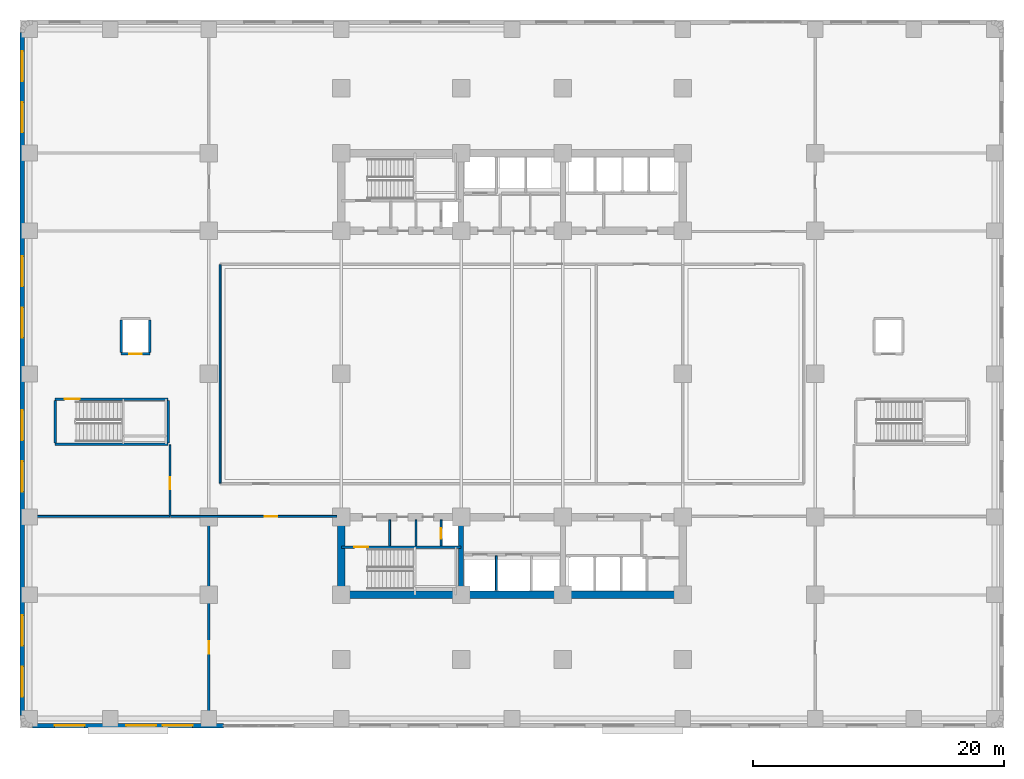
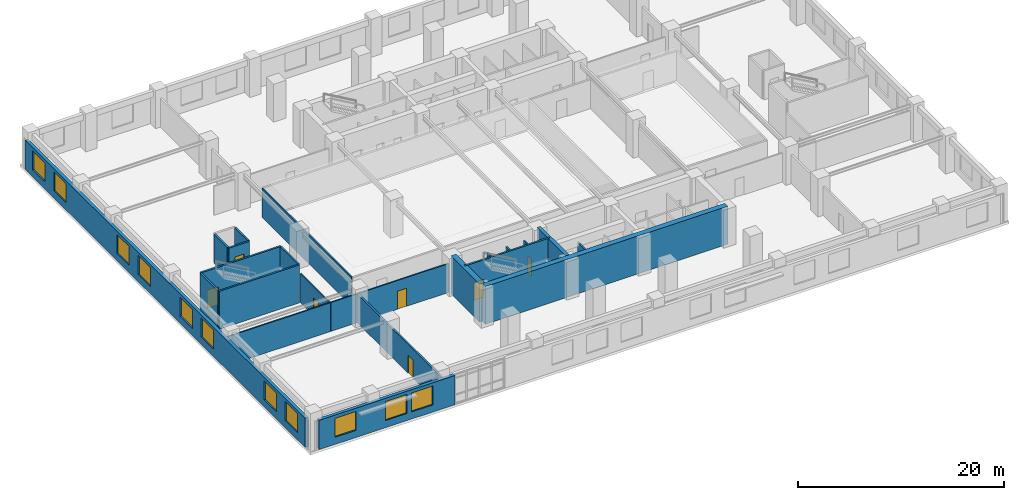
# One storey, part 6 of 14: 22 walls, 11 windows, 7 doors, 18 openings.
"""IFC4 building model written with IfcOpenShell, lengths in metres."""

from ifc_helpers import new_model, si_unit, direction, frame, frame_2d, origin, place, context, subcontext, project, spatial, rectangle, extrude, material, layer, layer_set, type_object, element, fill, save


model = new_model("IFC4")

# Units and contexts
model_context = context("Model", 3, precision=1e-05, world=origin(), true_north=direction((0.0, 1.0)))
body_context = subcontext(model_context, "Body", "Model", "MODEL_VIEW")
ifc_project = project(units=[si_unit("LENGTHUNIT", "METRE"), si_unit("AREAUNIT", "SQUARE_METRE"), si_unit("VOLUMEUNIT", "CUBIC_METRE"), si_unit("PLANEANGLEUNIT", "RADIAN"), si_unit("MASSUNIT", "GRAM", prefix="KILO")], contexts=[model_context])

# Site, building, storey
site_placement = place(None, origin())
site = spatial("IfcSite", under=ifc_project, at=site_placement, CompositionType="ELEMENT")
building_placement = place(site_placement, origin())
building = spatial("IfcBuilding", under=site, at=building_placement, Name="Svetorya Sky Lyceum", CompositionType="ELEMENT")
storey_placement = place(building_placement, frame((0.0, 0.0, 15.60009765625)))
storey = spatial("IfcBuildingStorey", under=building, at=storey_placement, Name="L03", CompositionType="ELEMENT", Elevation=15.60009765625)

# Walls
ifc_material_1 = material(Name="Concrete C40/50", Category="concrete")
ifc_layer_1 = layer(ifc_material_1, 0.39990234375)
ifc_layer_set_1 = layer_set([ifc_layer_1], Name="Concrete C40/50")
wall_type_1 = type_object("IfcWallType", Name="WL-CORE-400", PredefinedType="SHEAR", material=ifc_layer_set_1)
wall_1_placement = place(storey_placement, frame((35.14990234375, 10.89990234375, 0.0), z_axis=(0.0, 0.0, 1.0), x_axis=(0.0, 1.0, 0.0)))
element("IfcWall", 1, at=wall_1_placement, inside=storey, type_object=wall_type_1, Name="L03 SC Internal Shear Web WEB1", PredefinedType="SHEAR", context=body_context, shape_type="SweptSolid", body=[
    extrude(rectangle(XDim=5.60009765625, YDim=0.39990234375, at=frame_2d((2.800048828125, 0.0))), origin(), (0.0, 0.0, 1.0), 4.5),
])
ifc_material_2 = material(Name="Concrete C60/75", Category="concrete")
ifc_layer_2 = layer(ifc_material_2, 0.60009765625)
ifc_layer_set_2 = layer_set([ifc_layer_2], Name="Concrete C60/75")
wall_type_2 = type_object("IfcWallType", Name="WL-CORE-600", PredefinedType="SHEAR", material=ifc_layer_set_2)
wall_2_placement = place(storey_placement, frame((52.800048828125, 10.60009765625, 0.0), z_axis=(0.0, 0.0, 1.0), x_axis=(-1.0, 0.0, 0.0)))
element("IfcWall", 2, at=wall_2_placement, inside=storey, type_object=wall_type_2, Name="L03 SC Outer Core Shear Wall", PredefinedType="SHEAR", context=body_context, shape_type="SweptSolid", body=[
    extrude(rectangle(XDim=27.199951171875, YDim=0.60009765625, at=frame_2d((13.60009765625, 0.0))), origin(), (0.0, 0.0, 1.0), 4.5),
])
wall_3_placement = place(storey_placement, frame((25.60009765625, 10.89990234375, 0.0), z_axis=(0.0, 0.0, 1.0), x_axis=(0.0, 1.0, 0.0)))
element("IfcWall", 3, at=wall_3_placement, inside=storey, type_object=wall_type_2, Name="L03 SC West Core Shear Wall", PredefinedType="SHEAR", context=body_context, shape_type="SweptSolid", body=[
    extrude(rectangle(XDim=5.60009765625, YDim=0.60009765625, at=frame_2d((2.800048828125, 0.0))), origin(), (0.0, 0.0, 1.0), 4.5),
])

# Wall, openings, windows
ifc_material_3 = material(Name="Putilovo limestone rainscreen on autoclaved cellular masonry", Category="masonry")
ifc_layer_3 = layer(ifc_material_3, 0.360107421875)
ifc_layer_set_3 = layer_set([ifc_layer_3], Name="Putilovo limestone rainscreen on autoclaved cellular masonry")
wall_type_3 = type_object("IfcWallType", Name="WL-EXT-360", PredefinedType="SOLIDWALL", material=ifc_layer_set_3)
wall_4_placement = place(storey_placement, frame((0.97998046875, 0.179931640625, 0.0), z_axis=(0.0, 0.0, 1.0), x_axis=(1.0, 0.0, 0.0)))
wall_4 = element("IfcWall", 4, at=wall_4_placement, inside=storey, type_object=wall_type_3, Name="L03 Limestone Exterior Wall 6A", PredefinedType="SOLIDWALL", context=body_context, shape_type="SweptSolid", body=[
    extrude(rectangle(XDim=15.25, YDim=0.360107421875, at=frame_2d((7.625, 0.0))), origin(), (0.0, 0.0, 1.0), 3.47998046875),
])
opening_1_placement = place(wall_4_placement, frame((1.77490234375, 0.0, 0.85009765625)))
opening_1 = element("IfcOpeningElement", 5, at=opening_1_placement, cuts=wall_4, Name="Opening W-S1", PredefinedType="OPENING", context=body_context, shape_type="SweptSolid", body=[
    extrude(rectangle(XDim=2.39990234375, YDim=2.25, at=frame_2d((1.199951171875, 1.125))), frame((0.0, 0.18994140625, 0.0), z_axis=(0.0, -1.0, 0.0), x_axis=(1.0, 0.0, 0.0)), (0.0, 0.0, 1.0), 0.380126953125),
])
opening_2_placement = place(wall_4_placement, frame((7.47509765625, 0.0, 0.85009765625)))
opening_2 = element("IfcOpeningElement", 6, at=opening_2_placement, cuts=wall_4, Name="Opening W-S1", PredefinedType="OPENING", context=body_context, shape_type="SweptSolid", body=[
    extrude(rectangle(XDim=2.39990234375, YDim=2.25, at=frame_2d((1.199951171875, 1.125))), frame((0.0, 0.18994140625, 0.0), z_axis=(0.0, -1.0, 0.0), x_axis=(1.0, 0.0, 0.0)), (0.0, 0.0, 1.0), 0.380126953125),
])
opening_3_placement = place(wall_4_placement, frame((10.375, 0.0, 0.85009765625)))
opening_3 = element("IfcOpeningElement", 7, at=opening_3_placement, cuts=wall_4, Name="Opening W-S1", PredefinedType="OPENING", context=body_context, shape_type="SweptSolid", body=[
    extrude(rectangle(XDim=2.39990234375, YDim=2.25, at=frame_2d((1.199951171875, 1.125))), frame((0.0, 0.18994140625, 0.0), z_axis=(0.0, -1.0, 0.0), x_axis=(1.0, 0.0, 0.0)), (0.0, 0.0, 1.0), 0.380126953125),
])
ifc_material_4 = material(Name="Thermally broken aluminium frame with triple low-E glazing", Category="aluminium")
window_type = type_object("IfcWindowType", Name="WN-SCH-240", PartitioningType="TRIPLE_PANEL_HORIZONTAL", PredefinedType="WINDOW", material=ifc_material_4)
window_1_placement = place(opening_1_placement, origin())
window_1 = element("IfcWindow", 8, at=window_1_placement, inside=storey, type_object=window_type, Name="L03 Facade Window W-S1.6A.1", OverallHeight=2.25, OverallWidth=2.39990234375, PartitioningType="SINGLE_PANEL", PredefinedType="WINDOW", context=body_context, shape_type="SweptSolid", body=[
    extrude(rectangle(XDim=2.39990234375, YDim=2.25, at=frame_2d((1.199951171875, 1.125))), frame((0.0, 0.030029296875, 0.0), z_axis=(0.0, -1.0, 0.0), x_axis=(1.0, 0.0, 0.0)), (0.0, 0.0, 1.0), 0.06005859375),
])
fill(opening_1, window_1)
window_2_placement = place(opening_2_placement, origin())
window_2 = element("IfcWindow", 9, at=window_2_placement, inside=storey, type_object=window_type, Name="L03 Facade Window W-S1.6A.2", OverallHeight=2.25, OverallWidth=2.39990234375, PartitioningType="SINGLE_PANEL", PredefinedType="WINDOW", context=body_context, shape_type="SweptSolid", body=[
    extrude(rectangle(XDim=2.39990234375, YDim=2.25, at=frame_2d((1.199951171875, 1.125))), frame((0.0, 0.030029296875, 0.0), z_axis=(0.0, -1.0, 0.0), x_axis=(1.0, 0.0, 0.0)), (0.0, 0.0, 1.0), 0.06005859375),
])
fill(opening_2, window_2)
window_3_placement = place(opening_3_placement, origin())
window_3 = element("IfcWindow", 10, at=window_3_placement, inside=storey, type_object=window_type, Name="L03 Facade Window W-S1.6A.3", OverallHeight=2.25, OverallWidth=2.39990234375, PartitioningType="SINGLE_PANEL", PredefinedType="WINDOW", context=body_context, shape_type="SweptSolid", body=[
    extrude(rectangle(XDim=2.39990234375, YDim=2.25, at=frame_2d((1.199951171875, 1.125))), frame((0.0, 0.030029296875, 0.0), z_axis=(0.0, -1.0, 0.0), x_axis=(1.0, 0.0, 0.0)), (0.0, 0.0, 1.0), 0.06005859375),
])
fill(opening_3, window_3)

wall_5_placement = place(storey_placement, frame((0.179931640625, 55.419921875, 0.0), z_axis=(0.0, 0.0, 1.0), x_axis=(0.0, -1.0, 0.0)))
wall_5 = element("IfcWall", 11, at=wall_5_placement, inside=storey, type_object=wall_type_3, Name="L03 Limestone Exterior Wall 24M", PredefinedType="SOLIDWALL", context=body_context, shape_type="SweptSolid", body=[
    extrude(rectangle(XDim=54.43994140625, YDim=0.360107421875, at=frame_2d((27.219970703125, 0.0))), origin(), (0.0, 0.0, 1.0), 3.47998046875),
])
opening_4_placement = place(wall_5_placement, frame((1.493896484375, 0.0, 0.85009765625)))
opening_4 = element("IfcOpeningElement", 12, at=opening_4_placement, cuts=wall_5, Name="Opening W-S1", PredefinedType="OPENING", context=body_context, shape_type="SweptSolid", body=[
    extrude(rectangle(XDim=2.39990234375, YDim=2.25, at=frame_2d((1.199951171875, 1.125))), frame((0.0, 0.18994140625, 0.0), z_axis=(0.0, -1.0, 0.0), x_axis=(1.0, 0.0, 0.0)), (0.0, 0.0, 1.0), 0.380126953125),
])
opening_5_placement = place(wall_5_placement, frame((5.58154296875, 0.0, 0.85009765625)))
opening_5 = element("IfcOpeningElement", 13, at=opening_5_placement, cuts=wall_5, Name="Opening W-S1", PredefinedType="OPENING", context=body_context, shape_type="SweptSolid", body=[
    extrude(rectangle(XDim=2.39990234375, YDim=2.25, at=frame_2d((1.199951171875, 1.125))), frame((0.0, 0.18994140625, 0.0), z_axis=(0.0, -1.0, 0.0), x_axis=(1.0, 0.0, 0.0)), (0.0, 0.0, 1.0), 0.380126953125),
])
opening_6_placement = place(wall_5_placement, frame((17.844482421875, 0.0, 0.85009765625)))
opening_6 = element("IfcOpeningElement", 14, at=opening_6_placement, cuts=wall_5, Name="Opening W-S1", PredefinedType="OPENING", context=body_context, shape_type="SweptSolid", body=[
    extrude(rectangle(XDim=2.39990234375, YDim=2.25, at=frame_2d((1.199951171875, 1.125))), frame((0.0, 0.18994140625, 0.0), z_axis=(0.0, -1.0, 0.0), x_axis=(1.0, 0.0, 0.0)), (0.0, 0.0, 1.0), 0.380126953125),
])
opening_7_placement = place(wall_5_placement, frame((21.932373046875, 0.0, 0.85009765625)))
opening_7 = element("IfcOpeningElement", 15, at=opening_7_placement, cuts=wall_5, Name="Opening W-S1", PredefinedType="OPENING", context=body_context, shape_type="SweptSolid", body=[
    extrude(rectangle(XDim=2.39990234375, YDim=2.25, at=frame_2d((1.199951171875, 1.125))), frame((0.0, 0.18994140625, 0.0), z_axis=(0.0, -1.0, 0.0), x_axis=(1.0, 0.0, 0.0)), (0.0, 0.0, 1.0), 0.380126953125),
])
opening_8_placement = place(wall_5_placement, frame((30.107666015625, 0.0, 0.85009765625)))
opening_8 = element("IfcOpeningElement", 16, at=opening_8_placement, cuts=wall_5, Name="Opening W-S1", PredefinedType="OPENING", context=body_context, shape_type="SweptSolid", body=[
    extrude(rectangle(XDim=2.39990234375, YDim=2.25, at=frame_2d((1.199951171875, 1.125))), frame((0.0, 0.18994140625, 0.0), z_axis=(0.0, -1.0, 0.0), x_axis=(1.0, 0.0, 0.0)), (0.0, 0.0, 1.0), 0.380126953125),
])
opening_9_placement = place(wall_5_placement, frame((34.1953125, 0.0, 0.85009765625)))
opening_9 = element("IfcOpeningElement", 17, at=opening_9_placement, cuts=wall_5, Name="Opening W-S1", PredefinedType="OPENING", context=body_context, shape_type="SweptSolid", body=[
    extrude(rectangle(XDim=2.39990234375, YDim=2.25, at=frame_2d((1.199951171875, 1.125))), frame((0.0, 0.18994140625, 0.0), z_axis=(0.0, -1.0, 0.0), x_axis=(1.0, 0.0, 0.0)), (0.0, 0.0, 1.0), 0.380126953125),
])
opening_10_placement = place(wall_5_placement, frame((46.45849609375, 0.0, 0.85009765625)))
opening_10 = element("IfcOpeningElement", 18, at=opening_10_placement, cuts=wall_5, Name="Opening W-S1", PredefinedType="OPENING", context=body_context, shape_type="SweptSolid", body=[
    extrude(rectangle(XDim=2.39990234375, YDim=2.25, at=frame_2d((1.199951171875, 1.125))), frame((0.0, 0.18994140625, 0.0), z_axis=(0.0, -1.0, 0.0), x_axis=(1.0, 0.0, 0.0)), (0.0, 0.0, 1.0), 0.380126953125),
])
opening_11_placement = place(wall_5_placement, frame((50.546142578125, 0.0, 0.85009765625)))
opening_11 = element("IfcOpeningElement", 19, at=opening_11_placement, cuts=wall_5, Name="Opening W-S1", PredefinedType="OPENING", context=body_context, shape_type="SweptSolid", body=[
    extrude(rectangle(XDim=2.39990234375, YDim=2.25, at=frame_2d((1.199951171875, 1.125))), frame((0.0, 0.18994140625, 0.0), z_axis=(0.0, -1.0, 0.0), x_axis=(1.0, 0.0, 0.0)), (0.0, 0.0, 1.0), 0.380126953125),
])
window_4_placement = place(opening_4_placement, origin())
window_4 = element("IfcWindow", 20, at=window_4_placement, inside=storey, type_object=window_type, Name="L03 Facade Window W-S1.24M.1", OverallHeight=2.25, OverallWidth=2.39990234375, PartitioningType="SINGLE_PANEL", PredefinedType="WINDOW", context=body_context, shape_type="SweptSolid", body=[
    extrude(rectangle(XDim=2.39990234375, YDim=2.25, at=frame_2d((1.199951171875, 1.125))), frame((0.0, 0.030029296875, 0.0), z_axis=(0.0, -1.0, 0.0), x_axis=(1.0, 0.0, 0.0)), (0.0, 0.0, 1.0), 0.06005859375),
])
fill(opening_4, window_4)
window_5_placement = place(opening_5_placement, origin())
window_5 = element("IfcWindow", 21, at=window_5_placement, inside=storey, type_object=window_type, Name="L03 Facade Window W-S1.24M.2", OverallHeight=2.25, OverallWidth=2.39990234375, PartitioningType="SINGLE_PANEL", PredefinedType="WINDOW", context=body_context, shape_type="SweptSolid", body=[
    extrude(rectangle(XDim=2.39990234375, YDim=2.25, at=frame_2d((1.199951171875, 1.125))), frame((0.0, 0.030029296875, 0.0), z_axis=(0.0, -1.0, 0.0), x_axis=(1.0, 0.0, 0.0)), (0.0, 0.0, 1.0), 0.06005859375),
])
fill(opening_5, window_5)
window_6_placement = place(opening_6_placement, origin())
window_6 = element("IfcWindow", 22, at=window_6_placement, inside=storey, type_object=window_type, Name="L03 Facade Window W-S1.24M.3", OverallHeight=2.25, OverallWidth=2.39990234375, PartitioningType="SINGLE_PANEL", PredefinedType="WINDOW", context=body_context, shape_type="SweptSolid", body=[
    extrude(rectangle(XDim=2.39990234375, YDim=2.25, at=frame_2d((1.199951171875, 1.125))), frame((0.0, 0.030029296875, 0.0), z_axis=(0.0, -1.0, 0.0), x_axis=(1.0, 0.0, 0.0)), (0.0, 0.0, 1.0), 0.06005859375),
])
fill(opening_6, window_6)
window_7_placement = place(opening_7_placement, origin())
window_7 = element("IfcWindow", 23, at=window_7_placement, inside=storey, type_object=window_type, Name="L03 Facade Window W-S1.24M.4", OverallHeight=2.25, OverallWidth=2.39990234375, PartitioningType="SINGLE_PANEL", PredefinedType="WINDOW", context=body_context, shape_type="SweptSolid", body=[
    extrude(rectangle(XDim=2.39990234375, YDim=2.25, at=frame_2d((1.199951171875, 1.125))), frame((0.0, 0.030029296875, 0.0), z_axis=(0.0, -1.0, 0.0), x_axis=(1.0, 0.0, 0.0)), (0.0, 0.0, 1.0), 0.06005859375),
])
fill(opening_7, window_7)
window_8_placement = place(opening_8_placement, origin())
window_8 = element("IfcWindow", 24, at=window_8_placement, inside=storey, type_object=window_type, Name="L03 Facade Window W-S1.24M.5", OverallHeight=2.25, OverallWidth=2.39990234375, PartitioningType="SINGLE_PANEL", PredefinedType="WINDOW", context=body_context, shape_type="SweptSolid", body=[
    extrude(rectangle(XDim=2.39990234375, YDim=2.25, at=frame_2d((1.199951171875, 1.125))), frame((0.0, 0.030029296875, 0.0), z_axis=(0.0, -1.0, 0.0), x_axis=(1.0, 0.0, 0.0)), (0.0, 0.0, 1.0), 0.06005859375),
])
fill(opening_8, window_8)
window_9_placement = place(opening_9_placement, origin())
window_9 = element("IfcWindow", 25, at=window_9_placement, inside=storey, type_object=window_type, Name="L03 Facade Window W-S1.24M.6", OverallHeight=2.25, OverallWidth=2.39990234375, PartitioningType="SINGLE_PANEL", PredefinedType="WINDOW", context=body_context, shape_type="SweptSolid", body=[
    extrude(rectangle(XDim=2.39990234375, YDim=2.25, at=frame_2d((1.199951171875, 1.125))), frame((0.0, 0.030029296875, 0.0), z_axis=(0.0, -1.0, 0.0), x_axis=(1.0, 0.0, 0.0)), (0.0, 0.0, 1.0), 0.06005859375),
])
fill(opening_9, window_9)
window_10_placement = place(opening_10_placement, origin())
window_10 = element("IfcWindow", 26, at=window_10_placement, inside=storey, type_object=window_type, Name="L03 Facade Window W-S1.24M.7", OverallHeight=2.25, OverallWidth=2.39990234375, PartitioningType="SINGLE_PANEL", PredefinedType="WINDOW", context=body_context, shape_type="SweptSolid", body=[
    extrude(rectangle(XDim=2.39990234375, YDim=2.25, at=frame_2d((1.199951171875, 1.125))), frame((0.0, 0.030029296875, 0.0), z_axis=(0.0, -1.0, 0.0), x_axis=(1.0, 0.0, 0.0)), (0.0, 0.0, 1.0), 0.06005859375),
])
fill(opening_10, window_10)
window_11_placement = place(opening_11_placement, origin())
window_11 = element("IfcWindow", 27, at=window_11_placement, inside=storey, type_object=window_type, Name="L03 Facade Window W-S1.24M.8", OverallHeight=2.25, OverallWidth=2.39990234375, PartitioningType="SINGLE_PANEL", PredefinedType="WINDOW", context=body_context, shape_type="SweptSolid", body=[
    extrude(rectangle(XDim=2.39990234375, YDim=2.25, at=frame_2d((1.199951171875, 1.125))), frame((0.0, 0.030029296875, 0.0), z_axis=(0.0, -1.0, 0.0), x_axis=(1.0, 0.0, 0.0)), (0.0, 0.0, 1.0), 0.06005859375),
])
fill(opening_11, window_11)

# Walls
ifc_material_5 = material(Name="Autoclaved cellular masonry blockwork with acoustic render", Category="masonry")
ifc_layer_4 = layer(ifc_material_5, 0.14990234375)
ifc_layer_set_4 = layer_set([ifc_layer_4], Name="Autoclaved cellular masonry blockwork with acoustic render")
wall_type_4 = type_object("IfcWallType", Name="WL-PART-150", PredefinedType="PARTITIONING", material=ifc_layer_set_4)
for number, where, z_axis, x_axis, name in (
    (28, (29.449951171875, 14.5, 0.0), (0.0, 0.0, 1.0), (0.0, 1.0, 0.0), "L03 Interior Partition SC-SWD1"),
    (29, (31.550048828125, 14.5, 0.0), (0.0, 0.0, 1.0), (0.0, 1.0, 0.0), "L03 Interior Partition SC-SWD2"),
):
    element("IfcWall", number, at=place(storey_placement, frame(where, z_axis=z_axis, x_axis=x_axis)), inside=storey, type_object=wall_type_4, Name=name, PredefinedType="PARTITIONING", context=body_context, shape_type="SweptSolid", body=[
        extrude(rectangle(XDim=2.080078125, YDim=0.14990234375, at=frame_2d((1.0400390625, 0.0))), origin(), (0.0, 0.0, 1.0), 3.419921875),
    ])

# Wall, opening, door
wall_6_placement = place(storey_placement, frame((33.550048828125, 14.5, 0.0), z_axis=(0.0, 0.0, 1.0), x_axis=(0.0, 1.0, 0.0)))
wall_6 = element("IfcWall", 30, at=wall_6_placement, inside=storey, type_object=wall_type_4, Name="L03 Interior Partition SC-SWD3", PredefinedType="PARTITIONING", context=body_context, shape_type="SweptSolid", body=[
    extrude(rectangle(XDim=2.080078125, YDim=0.14990234375, at=frame_2d((1.0400390625, 0.0))), origin(), (0.0, 0.0, 1.0), 3.419921875),
])
opening_12_placement = place(wall_6_placement, frame((0.550048828125, 0.0, 0.0)))
opening_12 = element("IfcOpeningElement", 31, at=opening_12_placement, cuts=wall_6, Name="Opening D-SH1", PredefinedType="OPENING", context=body_context, shape_type="SweptSolid", body=[
    extrude(rectangle(XDim=0.85009765625, YDim=2.050048828125, at=frame_2d((0.425048828125, 1.02490234375))), frame((0.0, 0.0849609375, 0.0), z_axis=(0.0, -1.0, 0.0), x_axis=(1.0, 0.0, 0.0)), (0.0, 0.0, 1.0), 0.169921875),
])
ifc_material_6 = material(Name="Insulated galvanized riser inspection fire door")
door_type_1 = type_object("IfcDoorType", Name="DR-SHFT-850", OperationType="SINGLE_SWING_LEFT", PredefinedType="TRAPDOOR", material=ifc_material_6)
door_1_placement = place(opening_12_placement, origin())
door_1 = element("IfcDoor", 32, at=door_1_placement, inside=storey, type_object=door_type_1, Name="L03 South Riser Access Door", OperationType="SINGLE_SWING_RIGHT", OverallHeight=2.050048828125, OverallWidth=0.85009765625, PredefinedType="TRAPDOOR", context=body_context, shape_type="SweptSolid", body=[
    extrude(rectangle(XDim=0.85009765625, YDim=2.050048828125, at=frame_2d((0.425048828125, 1.02490234375))), frame((0.0, 0.02490234375, 0.0), z_axis=(0.0, -1.0, 0.0), x_axis=(1.0, 0.0, 0.0)), (0.0, 0.0, 1.0), 0.050048828125),
])
fill(opening_12, door_1)

# Walls
wall_7_placement = place(storey_placement, frame((37.949951171875, 10.949951171875, 0.0), z_axis=(0.0, 0.0, 1.0), x_axis=(0.0, 1.0, 0.0)))
element("IfcWall", 33, at=wall_7_placement, inside=storey, type_object=wall_type_4, Name="L03 Interior Partition SC-SHD1", PredefinedType="PARTITIONING", context=body_context, shape_type="SweptSolid", body=[
    extrude(rectangle(XDim=2.75, YDim=0.14990234375, at=frame_2d((1.375, 0.0))), origin(), (0.0, 0.0, 1.0), 3.419921875),
])
wall_8_placement = place(storey_placement, frame((15.949951171875, 19.5, 0.0), z_axis=(0.0, 0.0, 1.0), x_axis=(0.0, 1.0, 0.0)))
element("IfcWall", 34, at=wall_8_placement, inside=storey, type_object=wall_type_4, Name="L03 Interior Partition CEN-W", PredefinedType="PARTITIONING", context=body_context, shape_type="SweptSolid", body=[
    extrude(rectangle(XDim=17.39990234375, YDim=0.14990234375, at=frame_2d((8.699951171875, 0.0))), origin(), (0.0, 0.0, 1.0), 3.419921875),
])

# Wall, opening, door
wall_9_placement = place(storey_placement, frame((12.0, 16.85009765625, 0.0), z_axis=(0.0, 0.0, 1.0), x_axis=(1.0, 0.0, 0.0)))
wall_9 = element("IfcWall", 35, at=wall_9_placement, inside=storey, type_object=wall_type_4, Name="L03 Interior Partition SW-CORR", PredefinedType="PARTITIONING", context=body_context, shape_type="SweptSolid", body=[
    extrude(rectangle(XDim=13.25, YDim=0.14990234375, at=frame_2d((6.625, 0.0))), origin(), (0.0, 0.0, 1.0), 3.419921875),
])
opening_13_placement = place(wall_9_placement, frame((7.5, 0.0, 0.0)))
opening_13 = element("IfcOpeningElement", 36, at=opening_13_placement, cuts=wall_9, Name="Opening D-RM2", PredefinedType="OPENING", context=body_context, shape_type="SweptSolid", body=[
    extrude(rectangle(XDim=1.0, YDim=2.14990234375, at=frame_2d((0.5, 1.074951171875))), frame((0.0, 0.0849609375, 0.0), z_axis=(0.0, -1.0, 0.0), x_axis=(1.0, 0.0, 0.0)), (0.0, 0.0, 1.0), 0.169921875),
])
ifc_material_7 = material(Name="Solid-core oak acoustic room door")
door_type_2 = type_object("IfcDoorType", Name="DR-INT-1000", OperationType="SINGLE_SWING_LEFT", PredefinedType="DOOR", material=ifc_material_7)
door_2_placement = place(opening_13_placement, origin())
door_2 = element("IfcDoor", 37, at=door_2_placement, inside=storey, type_object=door_type_2, Name="L03 Classroom SW2 Door", OperationType="SINGLE_SWING_LEFT", OverallHeight=2.14990234375, OverallWidth=1.0, PredefinedType="DOOR", context=body_context, shape_type="SweptSolid", body=[
    extrude(rectangle(XDim=1.0, YDim=2.14990234375, at=frame_2d((0.5, 1.074951171875))), frame((0.0, 0.02490234375, 0.0), z_axis=(0.0, -1.0, 0.0), x_axis=(1.0, 0.0, 0.0)), (0.0, 0.0, 1.0), 0.050048828125),
])
fill(opening_13, door_2)

wall_10_placement = place(storey_placement, frame((11.949951171875, 16.89990234375, 0.0), z_axis=(0.0, 0.0, 1.0), x_axis=(0.0, 1.0, 0.0)))
wall_10 = element("IfcWall", 38, at=wall_10_placement, inside=storey, type_object=wall_type_4, Name="L03 Interior Partition WCW-E", PredefinedType="PARTITIONING", context=body_context, shape_type="SweptSolid", body=[
    extrude(rectangle(XDim=5.650146484375, YDim=0.14990234375, at=frame_2d((2.8251953125, 0.0))), origin(), (0.0, 0.0, 1.0), 3.419921875),
])
opening_14_placement = place(wall_10_placement, frame((2.10009765625, 0.0, 0.0)))
opening_14 = element("IfcOpeningElement", 39, at=opening_14_placement, cuts=wall_10, Name="Opening D-WC1", PredefinedType="OPENING", context=body_context, shape_type="SweptSolid", body=[
    extrude(rectangle(XDim=0.949951171875, YDim=2.10009765625, at=frame_2d((0.47509765625, 1.050048828125))), frame((0.0, 0.0849609375, 0.0), z_axis=(0.0, -1.0, 0.0), x_axis=(1.0, 0.0, 0.0)), (0.0, 0.0, 1.0), 0.169921875),
])
ifc_material_8 = material(Name="Moisture-resistant laminate accessible WC door")
door_type_3 = type_object("IfcDoorType", Name="DR-ACC-950", OperationType="SINGLE_SWING_LEFT", PredefinedType="DOOR", material=ifc_material_8)
door_3_placement = place(opening_14_placement, origin())
door_3 = element("IfcDoor", 40, at=door_3_placement, inside=storey, type_object=door_type_3, Name="L03 Accessible WC Door", OperationType="SINGLE_SWING_LEFT", OverallHeight=2.10009765625, OverallWidth=0.949951171875, PredefinedType="DOOR", context=body_context, shape_type="SweptSolid", body=[
    extrude(rectangle(XDim=0.949951171875, YDim=2.10009765625, at=frame_2d((0.47509765625, 1.050048828125))), frame((0.0, 0.02490234375, 0.0), z_axis=(0.0, -1.0, 0.0), x_axis=(1.0, 0.0, 0.0)), (0.0, 0.0, 1.0), 0.050048828125),
])
fill(opening_14, door_3)

# Walls
wall_11_placement = place(storey_placement, frame((0.39990234375, 16.85009765625, 0.0), z_axis=(0.0, 0.0, 1.0), x_axis=(1.0, 0.0, 0.0)))
element("IfcWall", 41, at=wall_11_placement, inside=storey, type_object=wall_type_4, Name="L03 Interior Partition CLSW1-N", PredefinedType="PARTITIONING", context=body_context, shape_type="SweptSolid", body=[
    extrude(rectangle(XDim=11.550048828125, YDim=0.14990234375, at=frame_2d((5.77490234375, 0.0))), origin(), (0.0, 0.0, 1.0), 3.419921875),
])
ifc_material_9 = material(Name="Autoclaved cellular masonry blockwork with gypsum plaster", Category="masonry")
ifc_layer_5 = layer(ifc_material_9, 0.199951171875)
ifc_layer_set_5 = layer_set([ifc_layer_5], Name="Autoclaved cellular masonry blockwork with gypsum plaster")
wall_type_5 = type_object("IfcWallType", Name="WL-PART-200", PredefinedType="PARTITIONING", material=ifc_layer_set_5)
for number, where, z_axis, x_axis, name in (
    (42, (8.050048828125, 29.89990234375, 0.0), (0.0, 0.0, 1.0), (0.0, 1.0, 0.0), "L03 Interior Partition SHL-W-SCHL1"),
    (43, (10.35009765625, 29.89990234375, 0.0), (0.0, 0.0, 1.0), (0.0, 1.0, 0.0), "L03 Interior Partition SHL-E-SCHL1"),
):
    element("IfcWall", number, at=place(storey_placement, frame(where, z_axis=z_axis, x_axis=x_axis)), inside=storey, type_object=wall_type_5, Name=name, PredefinedType="PARTITIONING", context=body_context, shape_type="SweptSolid", body=[
        extrude(rectangle(XDim=2.60009765625, YDim=0.199951171875, at=frame_2d((1.300048828125, 0.0))), origin(), (0.0, 0.0, 1.0), 3.419921875),
    ])

# Wall, opening, door
wall_12_placement = place(storey_placement, frame((8.050048828125, 29.800048828125, 0.0), z_axis=(0.0, 0.0, 1.0), x_axis=(1.0, 0.0, 0.0)))
wall_12 = element("IfcWall", 44, at=wall_12_placement, inside=storey, type_object=wall_type_5, Name="L03 Interior Partition SHL-S-SCHL1", PredefinedType="PARTITIONING", context=body_context, shape_type="SweptSolid", body=[
    extrude(rectangle(XDim=2.300048828125, YDim=0.199951171875, at=frame_2d((1.14990234375, 0.0))), origin(), (0.0, 0.0, 1.0), 3.419921875),
])
opening_15_placement = place(wall_12_placement, frame((0.64990234375, 0.0, 0.0)))
opening_15 = element("IfcOpeningElement", 45, at=opening_15_placement, cuts=wall_12, Name="Opening LD-P1", PredefinedType="OPENING", context=body_context, shape_type="SweptSolid", body=[
    extrude(rectangle(XDim=1.0, YDim=2.14990234375, at=frame_2d((0.5, 1.074951171875))), frame((0.0, 0.10986328125, 0.0), z_axis=(0.0, -1.0, 0.0), x_axis=(1.0, 0.0, 0.0)), (0.0, 0.0, 1.0), 0.219970703125),
])
ifc_material_10 = material(Name="Champagne-anodized stainless passenger lift landing door")
door_type_4 = type_object("IfcDoorType", Name="DR-LIFT-1000", OperationType="SLIDING_TO_LEFT", PredefinedType="DOOR", material=ifc_material_10)
door_4_placement = place(opening_15_placement, origin())
door_4 = element("IfcDoor", 46, at=door_4_placement, inside=storey, type_object=door_type_4, Name="L03 Lyceum Lift SCHL1 Landing Door", OperationType="SLIDING_TO_LEFT", OverallHeight=2.14990234375, OverallWidth=1.0, PredefinedType="DOOR", context=body_context, shape_type="SweptSolid", body=[
    extrude(rectangle(XDim=1.0, YDim=2.14990234375, at=frame_2d((0.5, 1.074951171875))), frame((0.0, 0.02490234375, 0.0), z_axis=(0.0, -1.0, 0.0), x_axis=(1.0, 0.0, 0.0)), (0.0, 0.0, 1.0), 0.050048828125),
])
fill(opening_15, door_4)

wall_13_placement = place(storey_placement, frame((15.050048828125, 0.39990234375, 0.0), z_axis=(0.0, 0.0, 1.0), x_axis=(0.0, 1.0, 0.0)))
wall_13 = element("IfcWall", 47, at=wall_13_placement, inside=storey, type_object=wall_type_5, Name="L03 Interior Partition SW-DIV", PredefinedType="PARTITIONING", context=body_context, shape_type="SweptSolid", body=[
    extrude(rectangle(XDim=16.400146484375, YDim=0.199951171875, at=frame_2d((8.2001953125, 0.0))), origin(), (0.0, 0.0, 1.0), 3.419921875),
])
opening_16_placement = place(wall_13_placement, frame((5.5, 0.0, 0.0)))
opening_16 = element("IfcOpeningElement", 48, at=opening_16_placement, cuts=wall_13, Name="Opening D-RM2", PredefinedType="OPENING", context=body_context, shape_type="SweptSolid", body=[
    extrude(rectangle(XDim=1.0, YDim=2.14990234375, at=frame_2d((0.5, 1.074951171875))), frame((0.0, 0.10986328125, 0.0), z_axis=(0.0, -1.0, 0.0), x_axis=(1.0, 0.0, 0.0)), (0.0, 0.0, 1.0), 0.219970703125),
])
door_5_placement = place(opening_16_placement, origin())
door_5 = element("IfcDoor", 49, at=door_5_placement, inside=storey, type_object=door_type_2, Name="L03 SW Inter-Classroom Door", OperationType="SINGLE_SWING_LEFT", OverallHeight=2.14990234375, OverallWidth=1.0, PredefinedType="DOOR", context=body_context, shape_type="SweptSolid", body=[
    extrude(rectangle(XDim=1.0, YDim=2.14990234375, at=frame_2d((0.5, 1.074951171875))), frame((0.0, 0.02490234375, 0.0), z_axis=(0.0, -1.0, 0.0), x_axis=(1.0, 0.0, 0.0)), (0.0, 0.0, 1.0), 0.050048828125),
])
fill(opening_16, door_5)

ifc_material_11 = material(Name="Concrete C50/60", Category="concrete")
ifc_layer_6 = layer(ifc_material_11, 0.199951171875)
ifc_layer_set_6 = layer_set([ifc_layer_6], Name="Concrete C50/60")
wall_type_6 = type_object("IfcWallType", Name="WL-SHW-200", PredefinedType="SHEAR", material=ifc_layer_set_6)
wall_14_placement = place(storey_placement, frame((25.60009765625, 14.39990234375, 0.0), z_axis=(0.0, 0.0, 1.0), x_axis=(1.0, 0.0, 0.0)))
wall_14 = element("IfcWall", 50, at=wall_14_placement, inside=storey, type_object=wall_type_6, Name="L03 Structural Stair Shaft Wall SC-STW", PredefinedType="SHEAR", context=body_context, shape_type="SweptSolid", body=[
    extrude(rectangle(XDim=9.5498046875, YDim=0.199951171875, at=frame_2d((4.77490234375, 0.0))), origin(), (0.0, 0.0, 1.0), 4.5),
])
opening_17_placement = place(wall_14_placement, frame((1.050048828125, 0.0, 0.0)))
opening_17 = element("IfcOpeningElement", 51, at=opening_17_placement, cuts=wall_14, Name="Opening D-ST1", PredefinedType="OPENING", context=body_context, shape_type="SweptSolid", body=[
    extrude(rectangle(XDim=1.10009765625, YDim=2.14990234375, at=frame_2d((0.550048828125, 1.074951171875))), frame((0.0, 0.10986328125, 0.0), z_axis=(0.0, -1.0, 0.0), x_axis=(1.0, 0.0, 0.0)), (0.0, 0.0, 1.0), 0.219970703125),
])
ifc_material_12 = material(Name="Powder-coated insulated galvanized stair fire door")
door_type_5 = type_object("IfcDoorType", Name="DR-FIRE-1100", OperationType="SINGLE_SWING_LEFT", PredefinedType="DOOR", material=ifc_material_12)
door_6_placement = place(opening_17_placement, origin())
door_6 = element("IfcDoor", 52, at=door_6_placement, inside=storey, type_object=door_type_5, Name="L03 Stair ST-S Vestibule Fire Door", OperationType="SINGLE_SWING_LEFT", OverallHeight=2.14990234375, OverallWidth=1.10009765625, PredefinedType="DOOR", context=body_context, shape_type="SweptSolid", body=[
    extrude(rectangle(XDim=1.10009765625, YDim=2.14990234375, at=frame_2d((0.550048828125, 1.074951171875))), frame((0.0, 0.02490234375, 0.0), z_axis=(0.0, -1.0, 0.0), x_axis=(1.0, 0.0, 0.0)), (0.0, 0.0, 1.0), 0.050048828125),
])
fill(opening_17, door_6)

# Walls
wall_15_placement = place(storey_placement, frame((2.800048828125, 22.60009765625, 0.0), z_axis=(0.0, 0.0, 1.0), x_axis=(1.0, 0.0, 0.0)))
element("IfcWall", 53, at=wall_15_placement, inside=storey, type_object=wall_type_6, Name="L03 Structural Stair Shaft Wall SCHW-S-W", PredefinedType="SHEAR", context=body_context, shape_type="SweptSolid", body=[
    extrude(rectangle(XDim=9.0, YDim=0.199951171875, at=frame_2d((4.5, 0.0))), origin(), (0.0, 0.0, 1.0), 4.5),
])
for number, where, z_axis, x_axis, name in (
    (54, (2.800048828125, 22.699951171875, 0.0), (0.0, 0.0, 1.0), (0.0, 1.0, 0.0), "L03 Structural Stair Shaft Wall SCHW-W-W"),
    (55, (11.800048828125, 22.699951171875, 0.0), (0.0, 0.0, 1.0), (0.0, 1.0, 0.0), "L03 Structural Stair Shaft Wall SCHW-E-W"),
):
    element("IfcWall", number, at=place(storey_placement, frame(where, z_axis=z_axis, x_axis=x_axis)), inside=storey, type_object=wall_type_6, Name=name, PredefinedType="SHEAR", context=body_context, shape_type="SweptSolid", body=[
        extrude(rectangle(XDim=3.400146484375, YDim=0.199951171875, at=frame_2d((1.7001953125, 0.0))), origin(), (0.0, 0.0, 1.0), 4.5),
    ])

# Wall, opening, door
wall_16_placement = place(storey_placement, frame((11.800048828125, 26.199951171875, 0.0), z_axis=(0.0, 0.0, 1.0), x_axis=(-1.0, 0.0, 0.0)))
wall_16 = element("IfcWall", 56, at=wall_16_placement, inside=storey, type_object=wall_type_6, Name="L03 Structural Stair Shaft Wall SCHW-N-W", PredefinedType="SHEAR", context=body_context, shape_type="SweptSolid", body=[
    extrude(rectangle(XDim=9.0, YDim=0.199951171875, at=frame_2d((4.5, 0.0))), origin(), (0.0, 0.0, 1.0), 4.5),
])
opening_18_placement = place(wall_16_placement, frame((7.050048828125, 0.0, 0.0)))
opening_18 = element("IfcOpeningElement", 57, at=opening_18_placement, cuts=wall_16, Name="Opening D-FL1", PredefinedType="OPENING", context=body_context, shape_type="SweptSolid", body=[
    extrude(rectangle(XDim=1.199951171875, YDim=2.14990234375, at=frame_2d((0.60009765625, 1.074951171875))), frame((0.0, 0.10986328125, 0.0), z_axis=(0.0, -1.0, 0.0), x_axis=(1.0, 0.0, 0.0)), (0.0, 0.0, 1.0), 0.219970703125),
])
ifc_material_13 = material(Name="Powder-coated insulated galvanized fire door")
door_type_6 = type_object("IfcDoorType", Name="DR-FIRE-1200", OperationType="SINGLE_SWING_LEFT", PredefinedType="DOOR", material=ifc_material_13)
door_7_placement = place(opening_18_placement, origin())
door_7 = element("IfcDoor", 58, at=door_7_placement, inside=storey, type_object=door_type_6, Name="L03 Lyceum Stair W Fire Door", OperationType="SINGLE_SWING_LEFT", OverallHeight=2.14990234375, OverallWidth=1.199951171875, PredefinedType="DOOR", context=body_context, shape_type="SweptSolid", body=[
    extrude(rectangle(XDim=1.199951171875, YDim=2.14990234375, at=frame_2d((0.60009765625, 1.074951171875))), frame((0.0, 0.02490234375, 0.0), z_axis=(0.0, -1.0, 0.0), x_axis=(1.0, 0.0, 0.0)), (0.0, 0.0, 1.0), 0.050048828125),
])
fill(opening_18, door_7)

save(model, "model.ifc")
